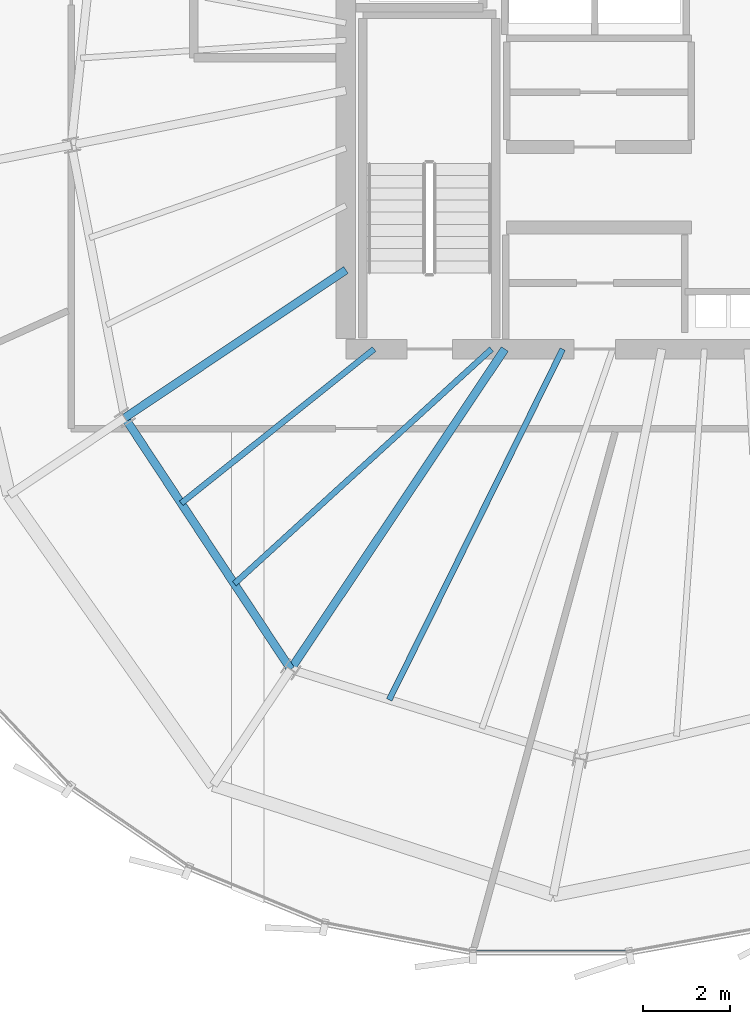
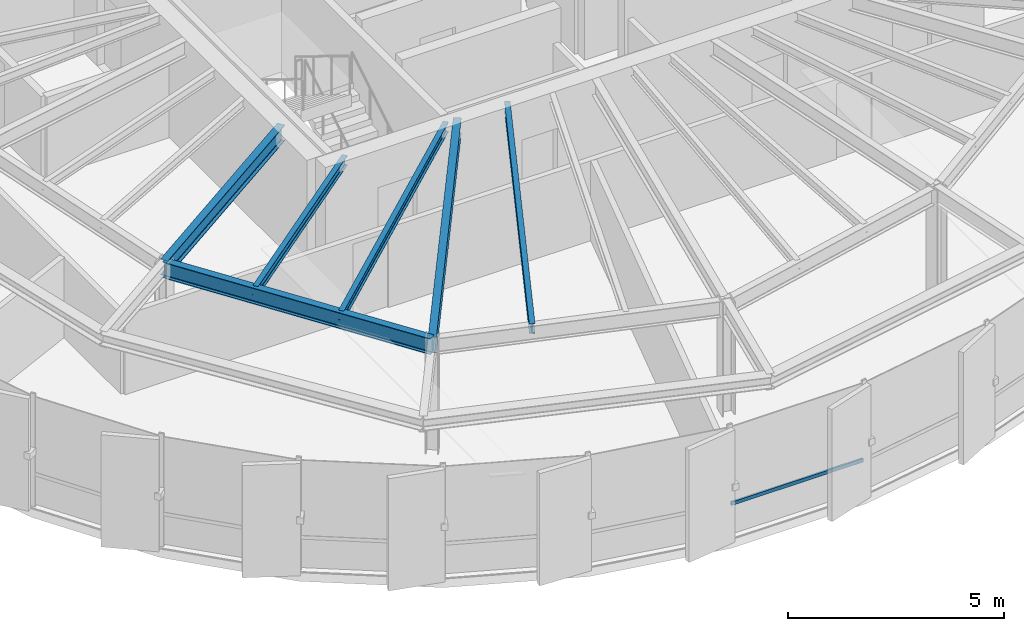
# One storey, part 5 of 33: 6 beams, 1 member, 1 element without a shape of its own.
"""IFC4 building model written with IfcOpenShell, lengths in metres."""

from ifc_helpers import new_model, si_unit, direction, frame, origin, origin_2d, place, context, subcontext, project, spatial, hollow_rectangle, i_section, extrude, source, transform, mapped, material, layer, layer_set, material_profile, profile_set, type_object, element, aggregate, save


model = new_model("IFC4")

# Units and contexts
model_context = context("Model", 3, precision=1e-05, world=origin(), true_north=direction((0.0, 1.0)))
body_context = subcontext(model_context, "Body", "Model", "MODEL_VIEW")
ifc_project = project(units=[si_unit("LENGTHUNIT", "METRE"), si_unit("AREAUNIT", "SQUARE_METRE"), si_unit("VOLUMEUNIT", "CUBIC_METRE"), si_unit("PLANEANGLEUNIT", "RADIAN"), si_unit("MASSUNIT", "GRAM", prefix="KILO"), si_unit("THERMODYNAMICTEMPERATUREUNIT", "KELVIN")], contexts=[model_context])

# Site, building, storey
site_placement = place(None, origin())
site = spatial("IfcSite", under=ifc_project, at=site_placement, CompositionType="ELEMENT")
building_placement = place(site_placement, origin())
building = spatial("IfcBuilding", under=site, at=building_placement, Name="Kethvar Cultural Tower", CompositionType="ELEMENT")
storey_placement = place(building_placement, frame((0.0, 0.0, 235.300048828125)))
storey = spatial("IfcBuildingStorey", under=building, at=storey_placement, Name="L61", CompositionType="ELEMENT", Elevation=235.300048828125)

# Beams
ifc_material_1 = material(Name="Steel S355J2", Category="steel")
ifc_material_profile_1 = material_profile(ifc_material_1, i_section(OverallWidth=0.18994140625, OverallDepth=0.449951171875, WebThickness=0.009521484375, FlangeThickness=0.0146484375, FilletRadius=0.02099609375, at=origin_2d()), Name="Steel S355J2 — IPE450")
ifc_profile_set_1 = profile_set([ifc_material_profile_1], Name="Steel S355J2 — IPE450")
beam_type_1 = type_object("IfcBeamType", Name="BM-IPE450", PredefinedType="BEAM", material=ifc_profile_set_1)
shared_shape_1 = source(origin(), body_context, "Body", "SweptSolid", [
    extrude(i_section(OverallWidth=0.18994140625, OverallDepth=0.449951171875, WebThickness=0.009521484375, FlangeThickness=0.0146484375, FilletRadius=0.02099609375, at=origin_2d()), origin(), (0.0, 0.0, 1.0), 6.118408203125),
])
beam_1_placement = place(storey_placement, frame((38.0, 21.920166015625, 2.98291015625), z_axis=(-0.831466631282, -0.555574694406, 0.0), x_axis=(0.555574694406, -0.831466631282, 0.0)))
element("IfcBeam", 1, at=beam_1_placement, inside=storey, type_object=beam_type_1, Name="L61 Primary Radial Beam RB-10", PredefinedType="BEAM", context=body_context, shape_type="MappedRepresentation", body=[
    mapped(shared_shape_1, transform((0.0, 0.0, 0.0), scale=1.0)),
])
shared_shape_2 = source(origin(), body_context, "Body", "SweptSolid", [
    extrude(i_section(OverallWidth=0.18994140625, OverallDepth=0.449951171875, WebThickness=0.009521484375, FlangeThickness=0.0146484375, FilletRadius=0.02099609375, at=origin_2d()), origin(), (0.0, 0.0, 1.0), 8.86279296875),
])
beam_2_placement = place(storey_placement, frame((41.655029296875, 20.10009765625, 2.98291015625), z_axis=(-0.555564443415, -0.831473480764, 0.0), x_axis=(0.831473480764, -0.555564443415, 0.0)))
element("IfcBeam", 2, at=beam_2_placement, inside=storey, type_object=beam_type_1, Name="L61 Primary Radial Beam RB-11", PredefinedType="BEAM", context=body_context, shape_type="MappedRepresentation", body=[
    mapped(shared_shape_2, transform((0.0, 0.0, 0.0), scale=1.0)),
])
shared_shape_3 = source(origin(), body_context, "Body", "SweptSolid", [
    extrude(i_section(OverallWidth=0.18994140625, OverallDepth=0.449951171875, WebThickness=0.009521484375, FlangeThickness=0.0146484375, FilletRadius=0.02099609375, at=origin_2d()), origin(), (0.0, 0.0, 1.0), 6.935791015625),
])
beam_3_placement = place(storey_placement, frame((32.912841796875, 18.52099609375, 2.98291015625), z_axis=(0.550534204139, -0.834812607759, 0.0), x_axis=(0.834812607759, 0.550534204139, 0.0)))
element("IfcBeam", 3, at=beam_3_placement, inside=storey, type_object=beam_type_1, Name="L61 Column Ring Tie Beam CR-10", PredefinedType="BEAM", context=body_context, shape_type="MappedRepresentation", body=[
    mapped(shared_shape_3, transform((0.0, 0.0, 0.0), scale=1.0)),
])
ifc_material_profile_2 = material_profile(ifc_material_1, i_section(OverallWidth=0.135009765625, OverallDepth=0.27001953125, WebThickness=0.006591796875, FlangeThickness=0.01025390625, FilletRadius=0.014892578125, at=origin_2d()), Name="Steel S355J2 — IPE270")
ifc_profile_set_2 = profile_set([ifc_material_profile_2], Name="Steel S355J2 — IPE270")
beam_type_2 = type_object("IfcBeamType", Name="BM-J270", PredefinedType="JOIST", material=ifc_profile_set_2)
shared_shape_4 = source(origin(), body_context, "Body", "SweptSolid", [
    extrude(i_section(OverallWidth=0.135009765625, OverallDepth=0.27001953125, WebThickness=0.006591796875, FlangeThickness=0.01025390625, FilletRadius=0.014892578125, at=origin_2d()), origin(), (0.0, 0.0, 1.0), 5.68212890625),
])
beam_4_placement = place(storey_placement, frame((38.64990234375, 20.10009765625, 3.072998046875), z_axis=(-0.781157957733, -0.624333440615, 0.0), x_axis=(0.624333440615, -0.781157957733, 0.0)))
element("IfcBeam", 4, at=beam_4_placement, inside=storey, type_object=beam_type_2, Name="L61 Composite Floor Joist J-10A", PredefinedType="JOIST", context=body_context, shape_type="MappedRepresentation", body=[
    mapped(shared_shape_4, transform((0.0, 0.0, 0.0), scale=1.0)),
])
shared_shape_5 = source(origin(), body_context, "Body", "SweptSolid", [
    extrude(i_section(OverallWidth=0.135009765625, OverallDepth=0.27001953125, WebThickness=0.006591796875, FlangeThickness=0.01025390625, FilletRadius=0.014892578125, at=origin_2d()), origin(), (0.0, 0.0, 1.0), 8.010986328125),
])
beam_5_placement = place(storey_placement, frame((41.35009765625, 20.10009765625, 3.072998046875), z_axis=(-0.738614798856, -0.674127717061, 0.0), x_axis=(0.674127717061, -0.738614798856, 0.0)))
element("IfcBeam", 5, at=beam_5_placement, inside=storey, type_object=beam_type_2, Name="L61 Composite Floor Joist J-10B", PredefinedType="JOIST", context=body_context, shape_type="MappedRepresentation", body=[
    mapped(shared_shape_5, transform((0.0, 0.0, 0.0), scale=1.0)),
])
shared_shape_6 = source(origin(), body_context, "Body", "SweptSolid", [
    extrude(i_section(OverallWidth=0.135009765625, OverallDepth=0.27001953125, WebThickness=0.006591796875, FlangeThickness=0.01025390625, FilletRadius=0.014892578125, at=origin_2d()), origin(), (0.0, 0.0, 1.0), 9.00341796875),
])
beam_6_placement = place(storey_placement, frame((42.989501953125, 20.10009765625, 3.072998046875), z_axis=(-0.443543695319, -0.896252749141, 0.0), x_axis=(0.896252749141, -0.443543695319, 0.0)))
element("IfcBeam", 6, at=beam_6_placement, inside=storey, type_object=beam_type_2, Name="L61 Composite Floor Joist J-11A", PredefinedType="JOIST", context=body_context, shape_type="MappedRepresentation", body=[
    mapped(shared_shape_6, transform((0.0, 0.0, 0.0), scale=1.0)),
])

# Curtain wall, member
ifc_material_2 = material(Name="Aluminium 6063-T6", Category="aluminium")
ifc_layer = layer(ifc_material_2, 0.179931640625, Name="Aluminium 6063-T6", Category="aluminium")
ifc_layer_set = layer_set([ifc_layer], Name="Aluminium 6063-T6 (180 mm)")
curtain_wall_type = type_object("IfcCurtainWallType", Name="CW-SYS-05-Z56", PredefinedType="NOTDEFINED", material=ifc_layer_set)
curtain_wall_placement = place(storey_placement, origin())
curtain_wall = element("IfcCurtainWall", 7, at=curtain_wall_placement, inside=storey, type_object=curtain_wall_type, Name="L61 Curtain Wall Run 04", PredefinedType="NOTDEFINED")
ifc_material_profile_3 = material_profile(ifc_material_2, hollow_rectangle(XDim=0.050048828125, YDim=0.10009765625, WallThickness=0.00390625, at=origin_2d()), Name="Aluminium 6063-T6 — RHS100x50x4")
ifc_profile_set_3 = profile_set([ifc_material_profile_3], Name="Aluminium 6063-T6 — RHS100x50x4")
member_type = type_object("IfcMemberType", Name="CW-SYS-05-Z56-TRN", PredefinedType="USERDEFINED", material=ifc_profile_set_3)
shared_shape_7 = source(origin(), body_context, "Body", "SweptSolid", [
    extrude(hollow_rectangle(XDim=0.050048828125, YDim=0.10009765625, WallThickness=0.00390625, at=origin_2d()), origin(), (0.0, 0.0, 1.0), 3.525146484375),
])
member_placement = place(storey_placement, frame((40.96826171875, 6.247802734375, 0.949951171875), z_axis=(1.0, 0.0, 0.0), x_axis=(0.0, 1.0, 0.0)))
member = element("IfcMember", 8, at=member_placement, type_object=member_type, Name="CW-L61-R04 Transom 4", ObjectType="TRANSOM", PredefinedType="USERDEFINED", context=body_context, shape_type="MappedRepresentation", body=[
    mapped(shared_shape_7, transform((0.0, 0.0, 0.0), scale=1.0)),
])
aggregate(curtain_wall, [member])

save(model, "model.ifc")
